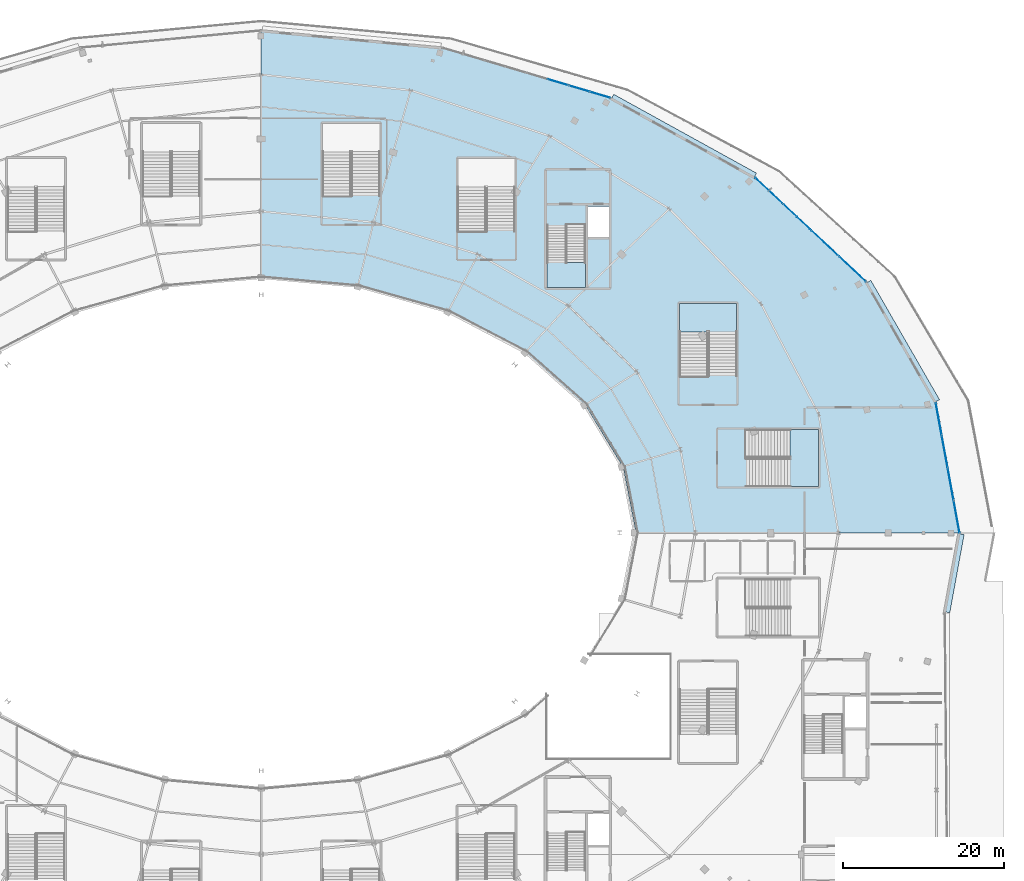
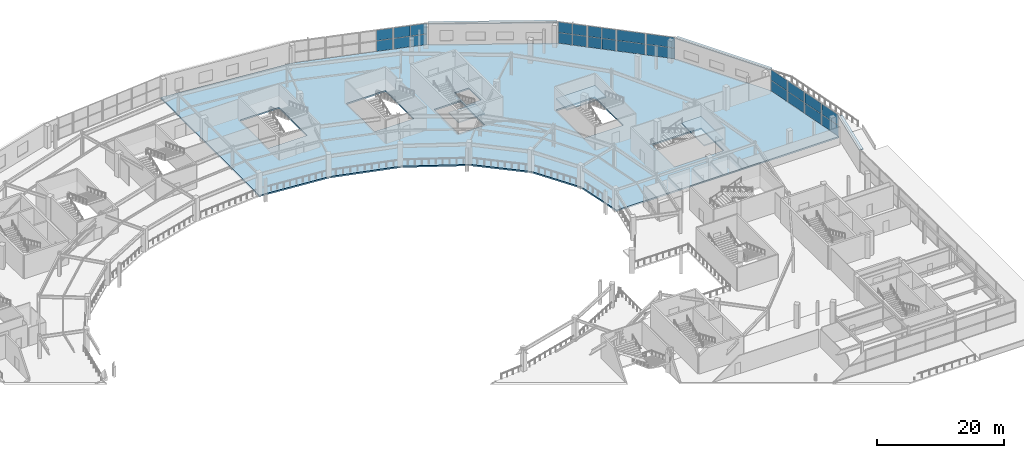
# One storey, part 66 of 107: 29 plates, 4 slabs, 13 elements without a shape of their own.
"""IFC4 building model written with IfcOpenShell, lengths in metres."""

from ifc_helpers import new_model, si_unit, direction, frame, origin, origin_2d, place, context, subcontext, project, spatial, polyline, rectangle, outline, extrude, material, layer, layer_set, type_object, element, aggregate, save


model = new_model("IFC4")

# Units and contexts
model_context = context("Model", 3, precision=1e-05, world=origin(), true_north=direction((0.0, 1.0)))
body_context = subcontext(model_context, "Body", "Model", "MODEL_VIEW")
ifc_project = project(units=[si_unit("LENGTHUNIT", "METRE"), si_unit("AREAUNIT", "SQUARE_METRE"), si_unit("VOLUMEUNIT", "CUBIC_METRE"), si_unit("PLANEANGLEUNIT", "RADIAN"), si_unit("MASSUNIT", "GRAM", prefix="KILO")], contexts=[model_context])

# Site, building, storey
site_placement = place(None, origin())
site = spatial("IfcSite", under=ifc_project, at=site_placement, CompositionType="ELEMENT")
building_placement = place(site_placement, origin())
building = spatial("IfcBuilding", under=site, at=building_placement, Name="Kalgoora Escarpment Arena", CompositionType="ELEMENT")
storey_placement = place(building_placement, frame((0.0, 0.0, 5.39990234375)))
storey = spatial("IfcBuildingStorey", under=building, at=storey_placement, Name="L01", CompositionType="ELEMENT", Elevation=5.39990234375)

# Curtain wall, plates
ifc_material_1 = material(Name=" Champagne anodised aluminium & double-glazed low-E", Category="aluminium")
ifc_layer_1 = layer(ifc_material_1, 0.166015625)
ifc_layer_set_1 = layer_set([ifc_layer_1], Name="CW-UNIT-09")
curtain_wall_type_1 = type_object("IfcCurtainWallType", Name="CW-UNIT-09", PredefinedType="NOTDEFINED", material=ifc_layer_set_1)
curtain_wall_1_placement = place(storey_placement, origin())
curtain_wall_1 = element("IfcCurtainWall", 1, at=curtain_wall_1_placement, inside=storey, type_object=curtain_wall_type_1, Name="L01 unitised facade curtain wall 028", PredefinedType="NOTDEFINED")
ifc_material_2 = material(Name="Low-E double-glazed insulated glass", Category="glass")
ifc_layer_2 = layer(ifc_material_2, 0.028076171875)
ifc_layer_set_2 = layer_set([ifc_layer_2], Name="PLT-CW-GLAZ-28")
plate_type_1 = type_object("IfcPlateType", Name="PLT-CW-GLAZ-28", PredefinedType="CURTAIN_PANEL", material=ifc_layer_set_2)
plate_1_placement = place(storey_placement, frame((131.98291015625, 119.25537109375, 0.080078125), z_axis=(0.0, 0.0, 1.0), x_axis=(0.958337801016, -0.285637285981, 0.0)))
plate_1 = element("IfcPlate", 2, at=plate_1_placement, type_object=plate_type_1, Name="CW-09 panel 1.1", PredefinedType="CURTAIN_PANEL", context=body_context, shape_type="SweptSolid", body=[
    extrude(rectangle(XDim=2.6142578125, YDim=0.028076171875, at=origin_2d()), origin(), (0.0, 0.0, 1.0), 2.014892578125),
])
plate_2_placement = place(storey_placement, frame((131.98291015625, 119.25537109375, 2.155029296875), z_axis=(0.0, 0.0, 1.0), x_axis=(0.958337801016, -0.285637285981, 0.0)))
plate_2 = element("IfcPlate", 3, at=plate_2_placement, type_object=plate_type_1, Name="CW-09 panel 1.2", PredefinedType="CURTAIN_PANEL", context=body_context, shape_type="SweptSolid", body=[
    extrude(rectangle(XDim=2.6142578125, YDim=0.028076171875, at=origin_2d()), origin(), (0.0, 0.0, 1.0), 1.9951171875),
])
plate_3_placement = place(storey_placement, frame((134.55078125, 118.490234375, 0.080078125), z_axis=(0.0, 0.0, 1.0), x_axis=(0.958337801016, -0.285637285981, 0.0)))
plate_3 = element("IfcPlate", 4, at=plate_3_placement, type_object=plate_type_1, Name="CW-09 panel 2.1", PredefinedType="CURTAIN_PANEL", context=body_context, shape_type="SweptSolid", body=[
    extrude(rectangle(XDim=2.6142578125, YDim=0.028076171875, at=origin_2d()), origin(), (0.0, 0.0, 1.0), 2.014892578125),
])
plate_4_placement = place(storey_placement, frame((134.55078125, 118.490234375, 2.155029296875), z_axis=(0.0, 0.0, 1.0), x_axis=(0.958337801016, -0.285637285981, 0.0)))
plate_4 = element("IfcPlate", 5, at=plate_4_placement, type_object=plate_type_1, Name="CW-09 panel 2.2", PredefinedType="CURTAIN_PANEL", context=body_context, shape_type="SweptSolid", body=[
    extrude(rectangle(XDim=2.6142578125, YDim=0.028076171875, at=origin_2d()), origin(), (0.0, 0.0, 1.0), 1.9951171875),
])
aggregate(curtain_wall_1, [plate_1, plate_2, plate_3, plate_4])

ifc_material_3 = material(Name=" Champagne anodised aluminium & double-glazed low-E", Category="aluminium")
ifc_layer_3 = layer(ifc_material_3, 0.154052734375)
ifc_layer_set_3 = layer_set([ifc_layer_3], Name="CW-UNIT-11")
curtain_wall_type_2 = type_object("IfcCurtainWallType", Name="CW-UNIT-11", PredefinedType="NOTDEFINED", material=ifc_layer_set_3)
curtain_wall_2_placement = place(storey_placement, origin())
curtain_wall_2 = element("IfcCurtainWall", 6, at=curtain_wall_2_placement, inside=storey, type_object=curtain_wall_type_2, Name="L01 unitised facade curtain wall 030", PredefinedType="NOTDEFINED")
plate_5_placement = place(storey_placement, frame((158.18603515625, 104.098388671875, 0.0751953125), z_axis=(0.0, 0.0, 1.0), x_axis=(0.729454503029, -0.684029332713, 0.0)))
plate_5 = element("IfcPlate", 7, at=plate_5_placement, type_object=plate_type_1, Name="CW-11 panel 1.1", PredefinedType="CURTAIN_PANEL", context=body_context, shape_type="SweptSolid", body=[
    extrude(rectangle(XDim=2.229248046875, YDim=0.028076171875, at=origin_2d()), origin(), (0.0, 0.0, 1.0), 2.0224609375),
])
plate_6_placement = place(storey_placement, frame((158.18603515625, 104.098388671875, 2.152587890625), z_axis=(0.0, 0.0, 1.0), x_axis=(0.729454503029, -0.684029332713, 0.0)))
plate_6 = element("IfcPlate", 8, at=plate_6_placement, type_object=plate_type_1, Name="CW-11 panel 1.2", PredefinedType="CURTAIN_PANEL", context=body_context, shape_type="SweptSolid", body=[
    extrude(rectangle(XDim=2.229248046875, YDim=0.028076171875, at=origin_2d()), origin(), (0.0, 0.0, 1.0), 2.00244140625),
])
plate_7_placement = place(storey_placement, frame((159.85595703125, 102.532470703125, 0.0751953125), z_axis=(0.0, 0.0, 1.0), x_axis=(0.729454503029, -0.684029332713, 0.0)))
plate_7 = element("IfcPlate", 9, at=plate_7_placement, type_object=plate_type_1, Name="CW-11 panel 2.1", PredefinedType="CURTAIN_PANEL", context=body_context, shape_type="SweptSolid", body=[
    extrude(rectangle(XDim=2.229248046875, YDim=0.028076171875, at=origin_2d()), origin(), (0.0, 0.0, 1.0), 2.0224609375),
])
plate_8_placement = place(storey_placement, frame((159.85595703125, 102.532470703125, 2.152587890625), z_axis=(0.0, 0.0, 1.0), x_axis=(0.729454503029, -0.684029332713, 0.0)))
plate_8 = element("IfcPlate", 10, at=plate_8_placement, type_object=plate_type_1, Name="CW-11 panel 2.2", PredefinedType="CURTAIN_PANEL", context=body_context, shape_type="SweptSolid", body=[
    extrude(rectangle(XDim=2.229248046875, YDim=0.028076171875, at=origin_2d()), origin(), (0.0, 0.0, 1.0), 2.00244140625),
])
aggregate(curtain_wall_2, [plate_5, plate_6, plate_7, plate_8])

ifc_material_4 = material(Name=" Champagne anodised aluminium & double-glazed low-E", Category="aluminium")
ifc_layer_4 = layer(ifc_material_4, 0.162109375)
ifc_layer_set_4 = layer_set([ifc_layer_4], Name="CW-UNIT-13")
curtain_wall_type_3 = type_object("IfcCurtainWallType", Name="CW-UNIT-13", PredefinedType="NOTDEFINED", material=ifc_layer_set_4)
curtain_wall_3_placement = place(storey_placement, origin())
curtain_wall_3 = element("IfcCurtainWall", 11, at=curtain_wall_3_placement, inside=storey, type_object=curtain_wall_type_3, Name="L01 unitised facade curtain wall 032", PredefinedType="NOTDEFINED")
plate_9_placement = place(storey_placement, frame((165.9521484375, 96.81591796875, 0.0751953125), z_axis=(0.0, 0.0, 1.0), x_axis=(0.7294573811, -0.684026263501, 0.0)))
plate_9 = element("IfcPlate", 12, at=plate_9_placement, type_object=plate_type_1, Name="CW-13 panel 1.1", PredefinedType="CURTAIN_PANEL", context=body_context, shape_type="SweptSolid", body=[
    extrude(rectangle(XDim=4.568359375, YDim=0.028076171875, at=origin_2d()), origin(), (0.0, 0.0, 1.0), 2.0224609375),
])
plate_10_placement = place(storey_placement, frame((165.9521484375, 96.81591796875, 2.152587890625), z_axis=(0.0, 0.0, 1.0), x_axis=(0.7294573811, -0.684026263501, 0.0)))
plate_10 = element("IfcPlate", 13, at=plate_10_placement, type_object=plate_type_1, Name="CW-13 panel 1.2", PredefinedType="CURTAIN_PANEL", context=body_context, shape_type="SweptSolid", body=[
    extrude(rectangle(XDim=4.568359375, YDim=0.028076171875, at=origin_2d()), origin(), (0.0, 0.0, 1.0), 2.00244140625),
])
aggregate(curtain_wall_3, [plate_9, plate_10])

ifc_material_5 = material(Name=" Champagne anodised aluminium & double-glazed low-E", Category="aluminium")
ifc_layer_5 = layer(ifc_material_5, 0.14990234375)
ifc_layer_set_5 = layer_set([ifc_layer_5], Name="CW-UNIT-15")
curtain_wall_type_4 = type_object("IfcCurtainWallType", Name="CW-UNIT-15", PredefinedType="NOTDEFINED", material=ifc_layer_set_5)
curtain_wall_4_placement = place(storey_placement, origin())
curtain_wall_4 = element("IfcCurtainWall", 14, at=curtain_wall_4_placement, inside=storey, type_object=curtain_wall_type_4, Name="L01 unitised facade curtain wall 034", PredefinedType="NOTDEFINED")
plate_11_placement = place(storey_placement, frame((177.42919921875, 74.104736328125, 0.0751953125), z_axis=(0.0, 0.0, 1.0), x_axis=(0.179973883236, -0.983671388906, 0.0)))
plate_11 = element("IfcPlate", 15, at=plate_11_placement, type_object=plate_type_1, Name="CW-15 panel 1.1", PredefinedType="CURTAIN_PANEL", context=body_context, shape_type="SweptSolid", body=[
    extrude(rectangle(XDim=3.897705078125, YDim=0.028076171875, at=origin_2d()), origin(), (0.0, 0.0, 1.0), 2.0224609375),
])
plate_12_placement = place(storey_placement, frame((177.42919921875, 74.104736328125, 2.152587890625), z_axis=(0.0, 0.0, 1.0), x_axis=(0.179973883236, -0.983671388906, 0.0)))
plate_12 = element("IfcPlate", 16, at=plate_12_placement, type_object=plate_type_1, Name="CW-15 panel 1.2", PredefinedType="CURTAIN_PANEL", context=body_context, shape_type="SweptSolid", body=[
    extrude(rectangle(XDim=3.897705078125, YDim=0.028076171875, at=origin_2d()), origin(), (0.0, 0.0, 1.0), 2.00244140625),
])
aggregate(curtain_wall_4, [plate_11, plate_12])

ifc_material_6 = material(Name=" Champagne anodised aluminium & double-glazed low-E", Category="aluminium")
ifc_layer_6 = layer(ifc_material_6, 0.157958984375)
ifc_layer_set_6 = layer_set([ifc_layer_6], Name="CW-UNIT-17")
curtain_wall_type_5 = type_object("IfcCurtainWallType", Name="CW-UNIT-17", PredefinedType="NOTDEFINED", material=ifc_layer_set_6)
curtain_wall_5_placement = place(storey_placement, origin())
curtain_wall_5 = element("IfcCurtainWall", 17, at=curtain_wall_5_placement, inside=storey, type_object=curtain_wall_type_5, Name="L01 unitised facade curtain wall 036", PredefinedType="NOTDEFINED")
plate_13_placement = place(storey_placement, frame((178.916015625, 65.97900390625, 0.0751953125), z_axis=(0.0, 0.0, 1.0), x_axis=(0.180001618268, -0.983666314062, 0.0)))
plate_13 = element("IfcPlate", 18, at=plate_13_placement, type_object=plate_type_1, Name="CW-17 panel 1.1", PredefinedType="CURTAIN_PANEL", context=body_context, shape_type="SweptSolid", body=[
    extrude(rectangle(XDim=3.94775390625, YDim=0.028076171875, at=origin_2d()), origin(), (0.0, 0.0, 1.0), 2.0224609375),
])
plate_14_placement = place(storey_placement, frame((178.916015625, 65.97900390625, 2.152587890625), z_axis=(0.0, 0.0, 1.0), x_axis=(0.180001618268, -0.983666314062, 0.0)))
plate_14 = element("IfcPlate", 19, at=plate_14_placement, type_object=plate_type_1, Name="CW-17 panel 1.2", PredefinedType="CURTAIN_PANEL", context=body_context, shape_type="SweptSolid", body=[
    extrude(rectangle(XDim=3.94775390625, YDim=0.028076171875, at=origin_2d()), origin(), (0.0, 0.0, 1.0), 2.00244140625),
])
aggregate(curtain_wall_5, [plate_13, plate_14])

ifc_material_7 = material(Name=" Champagne anodised aluminium & double-glazed low-E", Category="aluminium")
ifc_layer_7 = layer(ifc_material_7, 0.162109375)
ifc_layer_set_7 = layer_set([ifc_layer_7], Name="CW-UNIT-08")
curtain_wall_type_6 = type_object("IfcCurtainWallType", Name="CW-UNIT-08", PredefinedType="NOTDEFINED", material=ifc_layer_set_7)
curtain_wall_6_placement = place(storey_placement, origin())
curtain_wall_6 = element("IfcCurtainWall", 20, at=curtain_wall_6_placement, inside=storey, type_object=curtain_wall_type_6, Name="L01 unitised facade curtain wall 027", PredefinedType="NOTDEFINED")
ifc_material_8 = material(Name="Acoustic laminated solar-control glass", Category="glass")
ifc_layer_8 = layer(ifc_material_8, 0.033935546875)
ifc_layer_set_8 = layer_set([ifc_layer_8], Name="PLT-CW-GLAZ-34")
plate_type_2 = type_object("IfcPlateType", Name="PLT-CW-GLAZ-34", PredefinedType="CURTAIN_PANEL", material=ifc_layer_set_8)
plate_15_placement = place(storey_placement, frame((129.26904296875, 120.064208984375, 0.080078125), z_axis=(0.0, 0.0, 1.0), x_axis=(0.958338981291, -0.28563332603, 0.0)))
plate_15 = element("IfcPlate", 21, at=plate_15_placement, type_object=plate_type_2, Name="CW-08 panel 2.1", PredefinedType="CURTAIN_PANEL", context=body_context, shape_type="SweptSolid", body=[
    extrude(rectangle(XDim=2.58935546875, YDim=0.033935546875, at=origin_2d()), origin(), (0.0, 0.0, 1.0), 2.014892578125),
])
plate_16_placement = place(storey_placement, frame((129.26904296875, 120.064208984375, 2.155029296875), z_axis=(0.0, 0.0, 1.0), x_axis=(0.958338981291, -0.28563332603, 0.0)))
plate_16 = element("IfcPlate", 22, at=plate_16_placement, type_object=plate_type_2, Name="CW-08 panel 2.2", PredefinedType="CURTAIN_PANEL", context=body_context, shape_type="SweptSolid", body=[
    extrude(rectangle(XDim=2.58935546875, YDim=0.033935546875, at=origin_2d()), origin(), (0.0, 0.0, 1.0), 1.9951171875),
])
aggregate(curtain_wall_6, [plate_15, plate_16])

ifc_material_9 = material(Name=" Champagne anodised aluminium & double-glazed low-E", Category="aluminium")
ifc_layer_9 = layer(ifc_material_9, 0.14990234375)
ifc_layer_set_9 = layer_set([ifc_layer_9], Name="CW-UNIT-10")
curtain_wall_type_7 = type_object("IfcCurtainWallType", Name="CW-UNIT-10", PredefinedType="NOTDEFINED", material=ifc_layer_set_9)
curtain_wall_7_placement = place(storey_placement, origin())
curtain_wall_7 = element("IfcCurtainWall", 23, at=curtain_wall_7_placement, inside=storey, type_object=curtain_wall_type_7, Name="L01 unitised facade curtain wall 029", PredefinedType="NOTDEFINED")
plate_17_placement = place(storey_placement, frame((154.703125, 107.364501953125, 0.080078125), z_axis=(0.0, 0.0, 1.0), x_axis=(0.729446738593, -0.684037612676, 0.0)))
plate_17 = element("IfcPlate", 24, at=plate_17_placement, type_object=plate_type_2, Name="CW-10 panel 1.1", PredefinedType="CURTAIN_PANEL", context=body_context, shape_type="SweptSolid", body=[
    extrude(rectangle(XDim=2.246826171875, YDim=0.033935546875, at=origin_2d()), origin(), (0.0, 0.0, 1.0), 2.014892578125),
])
plate_18_placement = place(storey_placement, frame((154.703125, 107.364501953125, 2.155029296875), z_axis=(0.0, 0.0, 1.0), x_axis=(0.729446738593, -0.684037612676, 0.0)))
plate_18 = element("IfcPlate", 25, at=plate_18_placement, type_object=plate_type_2, Name="CW-10 panel 1.2", PredefinedType="CURTAIN_PANEL", context=body_context, shape_type="SweptSolid", body=[
    extrude(rectangle(XDim=2.246826171875, YDim=0.033935546875, at=origin_2d()), origin(), (0.0, 0.0, 1.0), 1.9951171875),
])
plate_19_placement = place(storey_placement, frame((156.389404296875, 105.783203125, 0.080078125), z_axis=(0.0, 0.0, 1.0), x_axis=(0.729446738593, -0.684037612676, 0.0)))
plate_19 = element("IfcPlate", 26, at=plate_19_placement, type_object=plate_type_2, Name="CW-10 panel 2.1", PredefinedType="CURTAIN_PANEL", context=body_context, shape_type="SweptSolid", body=[
    extrude(rectangle(XDim=2.246826171875, YDim=0.033935546875, at=origin_2d()), origin(), (0.0, 0.0, 1.0), 2.014892578125),
])
plate_20_placement = place(storey_placement, frame((156.389404296875, 105.783203125, 2.155029296875), z_axis=(0.0, 0.0, 1.0), x_axis=(0.729446738593, -0.684037612676, 0.0)))
plate_20 = element("IfcPlate", 27, at=plate_20_placement, type_object=plate_type_2, Name="CW-10 panel 2.2", PredefinedType="CURTAIN_PANEL", context=body_context, shape_type="SweptSolid", body=[
    extrude(rectangle(XDim=2.246826171875, YDim=0.033935546875, at=origin_2d()), origin(), (0.0, 0.0, 1.0), 1.9951171875),
])
aggregate(curtain_wall_7, [plate_17, plate_18, plate_19, plate_20])

ifc_material_10 = material(Name=" Champagne anodised aluminium & double-glazed low-E", Category="aluminium")
ifc_layer_10 = layer(ifc_material_10, 0.157958984375)
ifc_layer_set_10 = layer_set([ifc_layer_10], Name="CW-UNIT-12")
curtain_wall_type_8 = type_object("IfcCurtainWallType", Name="CW-UNIT-12", PredefinedType="NOTDEFINED", material=ifc_layer_set_10)
curtain_wall_8_placement = place(storey_placement, origin())
curtain_wall_8 = element("IfcCurtainWall", 28, at=curtain_wall_8_placement, inside=storey, type_object=curtain_wall_type_8, Name="L01 unitised facade curtain wall 031", PredefinedType="NOTDEFINED")
plate_21_placement = place(storey_placement, frame((162.477294921875, 100.07421875, 0.0751953125), z_axis=(0.0, 0.0, 1.0), x_axis=(0.729464590248, -0.68401857546, 0.0)))
plate_21 = element("IfcPlate", 29, at=plate_21_placement, type_object=plate_type_2, Name="CW-12 panel 1.1", PredefinedType="CURTAIN_PANEL", context=body_context, shape_type="SweptSolid", body=[
    extrude(rectangle(XDim=4.5185546875, YDim=0.033935546875, at=origin_2d()), origin(), (0.0, 0.0, 1.0), 2.0224609375),
])
plate_22_placement = place(storey_placement, frame((162.477294921875, 100.07421875, 2.152587890625), z_axis=(0.0, 0.0, 1.0), x_axis=(0.729464590248, -0.68401857546, 0.0)))
plate_22 = element("IfcPlate", 30, at=plate_22_placement, type_object=plate_type_2, Name="CW-12 panel 1.2", PredefinedType="CURTAIN_PANEL", context=body_context, shape_type="SweptSolid", body=[
    extrude(rectangle(XDim=4.5185546875, YDim=0.033935546875, at=origin_2d()), origin(), (0.0, 0.0, 1.0), 2.00244140625),
])
aggregate(curtain_wall_8, [plate_21, plate_22])

ifc_material_11 = material(Name=" Champagne anodised aluminium & double-glazed low-E", Category="aluminium")
ifc_layer_11 = layer(ifc_material_11, 0.166015625)
ifc_layer_set_11 = layer_set([ifc_layer_11], Name="CW-UNIT-14")
curtain_wall_type_9 = type_object("IfcCurtainWallType", Name="CW-UNIT-14", PredefinedType="NOTDEFINED", material=ifc_layer_set_11)
curtain_wall_9_placement = place(storey_placement, origin())
curtain_wall_9 = element("IfcCurtainWall", 31, at=curtain_wall_9_placement, inside=storey, type_object=curtain_wall_type_9, Name="L01 unitised facade curtain wall 033", PredefinedType="NOTDEFINED")
plate_23_placement = place(storey_placement, frame((176.68359375, 78.179931640625, 0.0751953125), z_axis=(0.0, 0.0, 1.0), x_axis=(0.179977830966, -0.983670666616, 0.0)))
plate_23 = element("IfcPlate", 32, at=plate_23_placement, type_object=plate_type_2, Name="CW-14 panel 1.1", PredefinedType="CURTAIN_PANEL", context=body_context, shape_type="SweptSolid", body=[
    extrude(rectangle(XDim=3.94775390625, YDim=0.033935546875, at=origin_2d()), origin(), (0.0, 0.0, 1.0), 2.0224609375),
])
plate_24_placement = place(storey_placement, frame((176.68359375, 78.179931640625, 2.152587890625), z_axis=(0.0, 0.0, 1.0), x_axis=(0.179977830966, -0.983670666616, 0.0)))
plate_24 = element("IfcPlate", 33, at=plate_24_placement, type_object=plate_type_2, Name="CW-14 panel 1.2", PredefinedType="CURTAIN_PANEL", context=body_context, shape_type="SweptSolid", body=[
    extrude(rectangle(XDim=3.94775390625, YDim=0.033935546875, at=origin_2d()), origin(), (0.0, 0.0, 1.0), 2.00244140625),
])
aggregate(curtain_wall_9, [plate_23, plate_24])

ifc_material_12 = material(Name=" Champagne anodised aluminium & double-glazed low-E", Category="aluminium")
ifc_layer_12 = layer(ifc_material_12, 0.154052734375)
ifc_layer_set_12 = layer_set([ifc_layer_12], Name="CW-UNIT-16")
curtain_wall_type_10 = type_object("IfcCurtainWallType", Name="CW-UNIT-16", PredefinedType="NOTDEFINED", material=ifc_layer_set_12)
curtain_wall_10_placement = place(storey_placement, origin())
curtain_wall_10 = element("IfcCurtainWall", 34, at=curtain_wall_10_placement, inside=storey, type_object=curtain_wall_type_10, Name="L01 unitised facade curtain wall 035", PredefinedType="NOTDEFINED")
plate_25_placement = place(storey_placement, frame((178.170166015625, 70.05419921875, 0.0751953125), z_axis=(0.0, 0.0, 1.0), x_axis=(0.179973883236, -0.983671388906, 0.0)))
plate_25 = element("IfcPlate", 35, at=plate_25_placement, type_object=plate_type_2, Name="CW-16 panel 1.1", PredefinedType="CURTAIN_PANEL", context=body_context, shape_type="SweptSolid", body=[
    extrude(rectangle(XDim=3.897705078125, YDim=0.033935546875, at=origin_2d()), origin(), (0.0, 0.0, 1.0), 2.0224609375),
])
plate_26_placement = place(storey_placement, frame((178.170166015625, 70.05419921875, 2.152587890625), z_axis=(0.0, 0.0, 1.0), x_axis=(0.179973883236, -0.983671388906, 0.0)))
plate_26 = element("IfcPlate", 36, at=plate_26_placement, type_object=plate_type_2, Name="CW-16 panel 1.2", PredefinedType="CURTAIN_PANEL", context=body_context, shape_type="SweptSolid", body=[
    extrude(rectangle(XDim=3.897705078125, YDim=0.033935546875, at=origin_2d()), origin(), (0.0, 0.0, 1.0), 2.00244140625),
])
aggregate(curtain_wall_10, [plate_25, plate_26])

# Plates
ifc_material_13 = material(Name="Champagne anodised Art Deco solar brise-soleil hood", Category="aluminium")
ifc_layer_13 = layer(ifc_material_13, 0.1201171875)
ifc_layer_set_13 = layer_set([ifc_layer_13], Name="PLT-DECO-EYEBROW")
plate_type_3 = type_object("IfcPlateType", Name="PLT-DECO-EYEBROW", PredefinedType="SHEET", material=ifc_layer_set_13)
plate_27_placement = place(storey_placement, frame((144.96240234375, 113.33544921875, 3.969970703125), z_axis=(0.0, 0.0, 1.0), x_axis=(0.875464527, -0.483282383255, 0.0)))
element("IfcPlate", 37, at=plate_27_placement, inside=storey, type_object=plate_type_3, Name="L01 Art Deco horizontal solar brise-soleil eyebrow 037", PredefinedType="SHEET", context=body_context, shape_type="SweptSolid", body=[
    extrude(rectangle(XDim=20.281982421875, YDim=0.719970703125, at=origin_2d()), origin(), (0.0, 0.0, 1.0), 0.1201171875),
])
plate_28_placement = place(storey_placement, frame((172.196044921875, 87.812255859375, 3.969970703125), z_axis=(0.0, 0.0, 1.0), x_axis=(0.498941577478, -0.866635622545, 0.0)))
element("IfcPlate", 38, at=plate_28_placement, inside=storey, type_object=plate_type_3, Name="L01 Art Deco horizontal solar brise-soleil eyebrow 038", PredefinedType="SHEET", context=body_context, shape_type="SweptSolid", body=[
    extrude(rectangle(XDim=17.12109375, YDim=0.719970703125, at=origin_2d()), origin(), (0.0, 0.0, 1.0), 0.1201171875),
])
plate_29_placement = place(storey_placement, frame((178.593505859375, 58.980224609375, 3.97998046875), z_axis=(0.0, 0.0, 1.0), x_axis=(-0.180004123711, -0.983665855587, 0.0)))
element("IfcPlate", 39, at=plate_29_placement, inside=storey, type_object=plate_type_3, Name="L01 Art Deco horizontal solar brise-soleil eyebrow 039", PredefinedType="SHEET", context=body_context, shape_type="SweptSolid", body=[
    extrude(rectangle(XDim=9.865966796875, YDim=0.719970703125, at=origin_2d()), origin(), (0.0, 0.0, 1.0), 0.1201171875),
])

# Slab
ifc_material_14 = material(Name="Concrete N40 (fc' 40 MPa)", Category="concrete")
ifc_layer_14 = layer(ifc_material_14, 0.280029296875)
ifc_layer_set_14 = layer_set([ifc_layer_14], Name="SLB-CONC-280")
slab_type_1 = type_object("IfcSlabType", Name="SLB-CONC-280", PredefinedType="FLOOR", material=ifc_layer_set_14)
slab_1_placement = place(storey_placement, frame((0.0, 0.0, -0.27978515625)))
element("IfcSlab", 40, at=slab_1_placement, inside=storey, type_object=slab_type_1, Name="L01 concourse ring NE floor slab", PredefinedType="FLOOR", context=body_context, shape_type="SweptSolid", body=[
    extrude(outline(polyline([(114.917236328125, 124.467041015625), (135.89990234375, 118.213134765625), (153.918212890625, 108.264892578125), (167.744140625, 95.300048828125), (176.435546875, 80.2021484375), (179.39990234375, 64.0), (139.0, 64.0), (137.412109375, 72.1787109375), (132.7568359375, 79.800048828125), (125.351318359375, 86.344482421875), (115.699951171875, 91.366455078125), (104.4609375, 94.523193359375), (92.39990234375, 95.60009765625), (92.39990234375, 126.60009765625), (114.917236328125, 124.467041015625)]), holes=[polyline([(152.85009765625, 76.85009765625), (152.85009765625, 69.75), (161.75, 69.75), (161.75, 76.85009765625), (152.85009765625, 76.85009765625)]), polyline([(144.449951171875, 92.550048828125), (144.449951171875, 83.64990234375), (151.550048828125, 83.64990234375), (151.550048828125, 92.550048828125), (144.449951171875, 92.550048828125)]), polyline([(127.949951171875, 102.25), (127.949951171875, 94.550048828125), (132.75, 94.550048828125), (132.75, 102.25), (127.949951171875, 102.25)]), polyline([(133.050048828125, 104.60009765625), (133.050048828125, 100.800048828125), (135.64990234375, 100.800048828125), (135.64990234375, 104.60009765625), (133.050048828125, 104.60009765625)]), polyline([(116.85009765625, 110.550048828125), (116.85009765625, 101.64990234375), (123.949951171875, 101.64990234375), (123.949951171875, 110.550048828125), (116.85009765625, 110.550048828125)]), polyline([(100.050048828125, 114.949951171875), (100.050048828125, 106.050048828125), (107.14990234375, 106.050048828125), (107.14990234375, 114.949951171875), (100.050048828125, 114.949951171875)])]), origin(), (0.0, 0.0, 1.0), 0.27978515625),
])

# Stair, slab
ifc_material_15 = material(Name="Concrete N40 (fc' 40 MPa)", Category="concrete")
stair_type_1 = type_object("IfcStairType", Name="STR-EXIT-4", PredefinedType="HALF_TURN_STAIR", material=ifc_material_15)
stair_1_placement = place(storey_placement, origin())
stair_1 = element("IfcStair", 41, at=stair_1_placement, inside=storey, type_object=stair_type_1, Name="Fire-isolated exit stair ST04 (L01)", PredefinedType="HALF_TURN_STAIR")
ifc_material_16 = material(Name="Concrete N40 (fc' 40 MPa)", Category="concrete")
ifc_layer_15 = layer(ifc_material_16, 0.219970703125)
ifc_layer_set_15 = layer_set([ifc_layer_15], Name="SLB-ST-LAND-220")
slab_type_2 = type_object("IfcSlabType", Name="SLB-ST-LAND-220", PredefinedType="LANDING", material=ifc_layer_set_15)
slab_2_placement = place(storey_placement, frame((0.0, 0.0, 2.030029296875)))
slab_2 = element("IfcSlab", 42, at=slab_2_placement, type_object=slab_type_2, Name="ST04 L01 half-landing", PredefinedType="LANDING", context=body_context, shape_type="SweptSolid", body=[
    extrude(outline(polyline([(132.75, 97.639892578125), (132.75, 94.550048828125), (127.949951171875, 94.550048828125), (127.949951171875, 97.639892578125), (132.75, 97.639892578125)])), origin(), (0.0, 0.0, 1.0), 0.219970703125),
])
aggregate(stair_1, [slab_2])

ifc_material_17 = material(Name="Precast concrete N50 (fc' 50 MPa)", Category="concrete")
stair_type_2 = type_object("IfcStairType", Name="STR-STAD-1", PredefinedType="HALF_TURN_STAIR", material=ifc_material_17)
stair_2_placement = place(storey_placement, origin())
stair_2 = element("IfcStair", 43, at=stair_2_placement, inside=storey, type_object=stair_type_2, Name="Fire-isolated exit stair ST21 (L01)", PredefinedType="HALF_TURN_STAIR")
slab_3_placement = place(storey_placement, frame((0.0, 0.0, 2.030029296875)))
slab_3 = element("IfcSlab", 44, at=slab_3_placement, type_object=slab_type_2, Name="ST21 L01 half-landing", PredefinedType="LANDING", context=body_context, shape_type="SweptSolid", body=[
    extrude(outline(polyline([(158.199951171875, 76.85009765625), (161.75, 76.85009765625), (161.75, 69.75), (158.199951171875, 69.75), (158.199951171875, 76.85009765625)])), origin(), (0.0, 0.0, 1.0), 0.219970703125),
])
aggregate(stair_2, [slab_3])

ifc_material_18 = material(Name="Precast concrete N50 (fc' 50 MPa)", Category="concrete")
stair_type_3 = type_object("IfcStairType", Name="STR-STAD-3", PredefinedType="HALF_TURN_STAIR", material=ifc_material_18)
stair_3_placement = place(storey_placement, origin())
stair_3 = element("IfcStair", 45, at=stair_3_placement, inside=storey, type_object=stair_type_3, Name="Fire-isolated exit stair ST23 (L01)", PredefinedType="HALF_TURN_STAIR")
slab_4_placement = place(storey_placement, frame((0.0, 0.0, 2.030029296875)))
slab_4 = element("IfcSlab", 46, at=slab_4_placement, type_object=slab_type_2, Name="ST23 L01 half-landing", PredefinedType="LANDING", context=body_context, shape_type="SweptSolid", body=[
    extrude(outline(polyline([(144.449951171875, 89.0), (144.449951171875, 92.550048828125), (151.550048828125, 92.550048828125), (151.550048828125, 89.0), (144.449951171875, 89.0)])), origin(), (0.0, 0.0, 1.0), 0.219970703125),
])
aggregate(stair_3, [slab_4])

save(model, "model.ifc")
